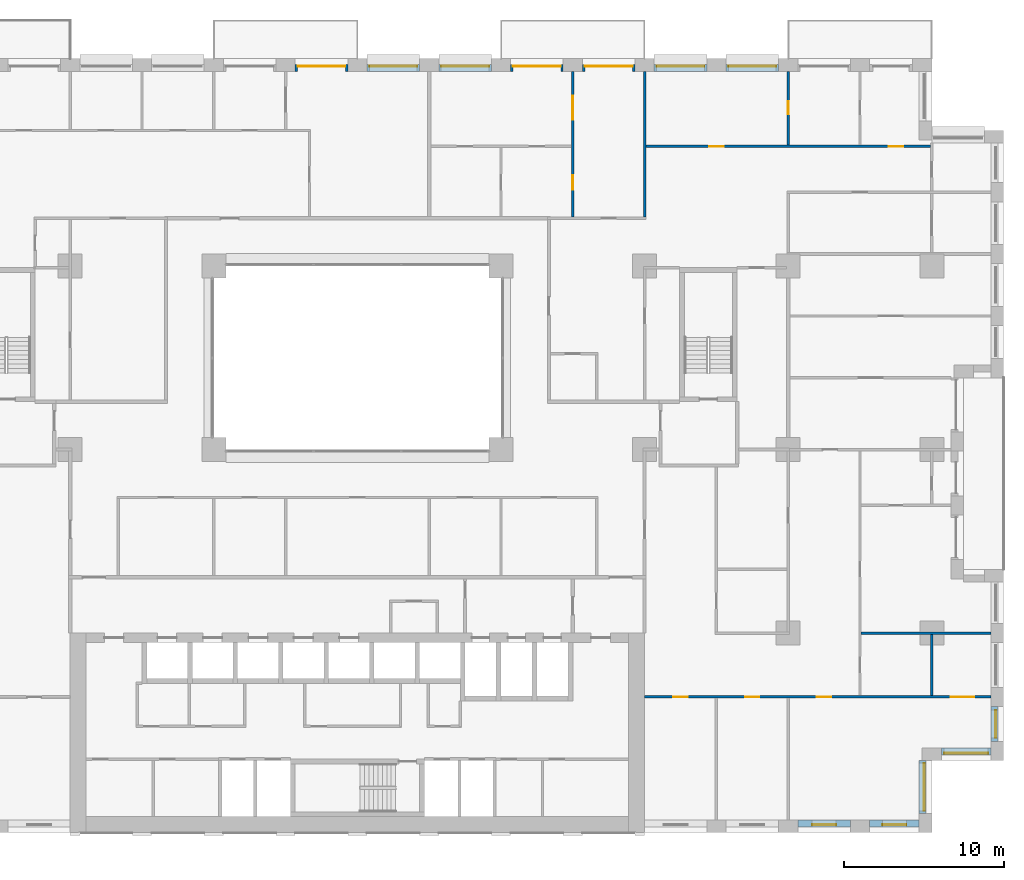
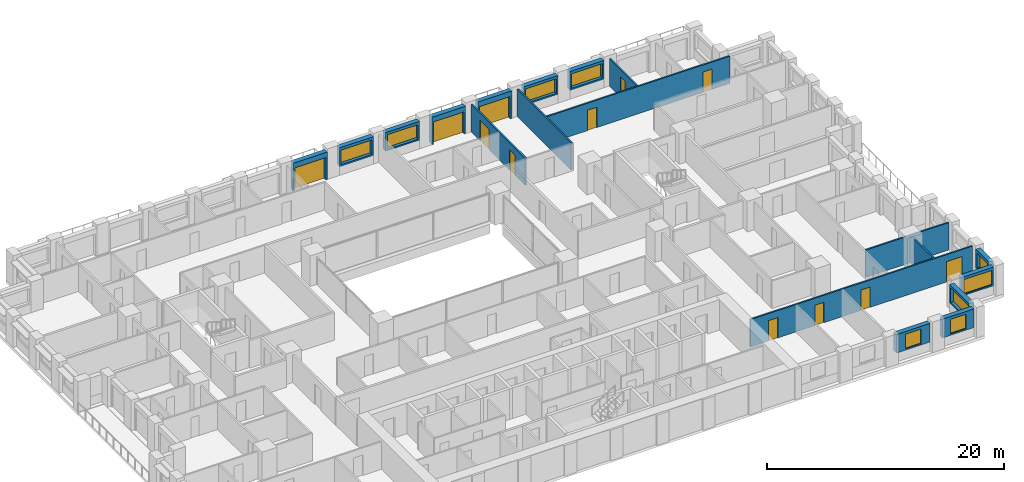
# One storey, part 16 of 20: 19 walls, 12 doors, 9 windows, 21 openings.
"""IFC4 building model written with IfcOpenShell, lengths in metres."""

from ifc_helpers import new_model, si_unit, direction, frame, frame_2d, origin, place, context, subcontext, project, spatial, rectangle, extrude, material, layer, layer_set, type_object, element, fill, save


model = new_model("IFC4")

# Units and contexts
model_context = context("Model", 3, precision=1e-05, world=origin(), true_north=direction((0.0, 1.0)))
body_context = subcontext(model_context, "Body", "Model", "MODEL_VIEW")
ifc_project = project(units=[si_unit("LENGTHUNIT", "METRE"), si_unit("AREAUNIT", "SQUARE_METRE"), si_unit("VOLUMEUNIT", "CUBIC_METRE"), si_unit("PLANEANGLEUNIT", "RADIAN"), si_unit("MASSUNIT", "GRAM", prefix="KILO")], contexts=[model_context])

# Site, building, storey
site_placement = place(None, origin())
site = spatial("IfcSite", under=ifc_project, at=site_placement, CompositionType="ELEMENT")
building_placement = place(site_placement, origin())
building = spatial("IfcBuilding", under=site, at=building_placement, Name="Brigalow Station Residences", CompositionType="ELEMENT")
storey_placement = place(building_placement, frame((0.0, 0.0, 44.699951171875)))
storey = spatial("IfcBuildingStorey", under=building, at=storey_placement, Name="L12", CompositionType="ELEMENT", Elevation=44.699951171875)

# Wall, opening, window
ifc_material_1 = material(Name="Clay brick masonry", Category="masonry")
ifc_layer_1 = layer(ifc_material_1, 0.449951171875)
ifc_layer_set_1 = layer_set([ifc_layer_1], Name="BRICK INFILL WALL 450")
wall_type_1 = type_object("IfcWallType", Name="BRICK INFILL WALL 450", PredefinedType="SOLIDWALL", material=ifc_layer_set_1)
wall_1_placement = place(storey_placement, frame((63.60009765625, 0.574951171875, 0.900146484375), z_axis=(0.0, 0.0, 1.0), x_axis=(1.0, 0.0, 0.0)))
wall_1 = element("IfcWall", 1, at=wall_1_placement, inside=storey, type_object=wall_type_1, Name="L12/ewall/W-L12-7", PredefinedType="SOLIDWALL", context=body_context, shape_type="SweptSolid", body=[
    extrude(rectangle(XDim=3.2998046875, YDim=0.449951171875, at=frame_2d((1.64990234375, 0.0))), origin(), (0.0, 0.0, 1.0), 1.929931640625),
])
opening_1_placement = place(wall_1_placement, frame((0.89990234375, 0.0, 0.14990234375)))
opening_1 = element("IfcOpeningElement", 2, at=opening_1_placement, cuts=wall_1, Name="Opening WT-1", PredefinedType="OPENING", context=body_context, shape_type="SweptSolid", body=[
    extrude(rectangle(XDim=1.5, YDim=1.5, at=frame_2d((0.75, 0.75))), frame((0.0, 0.23486328125, 0.0), z_axis=(0.0, -1.0, 0.0), x_axis=(1.0, 0.0, 0.0)), (0.0, 0.0, 1.0), 0.469970703125),
])
ifc_material_2 = material(Name="Anodised aluminium frame with double glazing", Category="aluminium")
window_type_1 = type_object("IfcWindowType", Name="WINDOW 1500x1500", PartitioningType="SINGLE_PANEL", PredefinedType="WINDOW", material=ifc_material_2)
window_1_placement = place(opening_1_placement, origin())
window_1 = element("IfcWindow", 3, at=window_1_placement, inside=storey, type_object=window_type_1, Name="L12/window/W-L12-7", OverallHeight=1.5, OverallWidth=1.5, PartitioningType="SINGLE_PANEL", PredefinedType="WINDOW", context=body_context, shape_type="SweptSolid", body=[
    extrude(rectangle(XDim=1.5, YDim=1.5, at=frame_2d((0.75, 0.75))), frame((0.0, -0.06494140625, 0.0), z_axis=(0.0, -1.0, 0.0), x_axis=(1.0, 0.0, 0.0)), (0.0, 0.0, 1.0), 0.06005859375),
])
fill(opening_1, window_1)

wall_2_placement = place(storey_placement, frame((68.10009765625, 0.574951171875, 0.900146484375), z_axis=(0.0, 0.0, 1.0), x_axis=(1.0, 0.0, 0.0)))
wall_2 = element("IfcWall", 4, at=wall_2_placement, inside=storey, type_object=wall_type_1, Name="L12/ewall/W-L12-8", PredefinedType="SOLIDWALL", context=body_context, shape_type="SweptSolid", body=[
    extrude(rectangle(XDim=3.099853515625, YDim=0.449951171875, at=frame_2d((1.5498046875, 0.0))), origin(), (0.0, 0.0, 1.0), 1.929931640625),
])
opening_2_placement = place(wall_2_placement, frame((0.800048828125, 0.0, 0.14990234375)))
opening_2 = element("IfcOpeningElement", 5, at=opening_2_placement, cuts=wall_2, Name="Opening WT-1", PredefinedType="OPENING", context=body_context, shape_type="SweptSolid", body=[
    extrude(rectangle(XDim=1.5, YDim=1.5, at=frame_2d((0.75, 0.75))), frame((0.0, 0.23486328125, 0.0), z_axis=(0.0, -1.0, 0.0), x_axis=(1.0, 0.0, 0.0)), (0.0, 0.0, 1.0), 0.469970703125),
])
window_2_placement = place(opening_2_placement, origin())
window_2 = element("IfcWindow", 6, at=window_2_placement, inside=storey, type_object=window_type_1, Name="L12/window/W-L12-8", OverallHeight=1.5, OverallWidth=1.5, PartitioningType="SINGLE_PANEL", PredefinedType="WINDOW", context=body_context, shape_type="SweptSolid", body=[
    extrude(rectangle(XDim=1.5, YDim=1.5, at=frame_2d((0.75, 0.75))), frame((0.0, -0.06494140625, 0.0), z_axis=(0.0, -1.0, 0.0), x_axis=(1.0, 0.0, 0.0)), (0.0, 0.0, 1.0), 0.06005859375),
])
fill(opening_2, window_2)

wall_3_placement = place(storey_placement, frame((71.425048828125, 1.199951171875, 0.900146484375), z_axis=(0.0, 0.0, 1.0), x_axis=(0.0, 1.0, 0.0)))
wall_3 = element("IfcWall", 7, at=wall_3_placement, inside=storey, type_object=wall_type_1, Name="L12/ewall/W-L12-9", PredefinedType="SOLIDWALL", context=body_context, shape_type="SweptSolid", body=[
    extrude(rectangle(XDim=3.300048828125, YDim=0.449951171875, at=frame_2d((1.64990234375, 0.0))), origin(), (0.0, 0.0, 1.0), 1.929931640625),
])
opening_3_placement = place(wall_3_placement, frame((0.14990234375, 0.0, 0.14990234375)))
opening_3 = element("IfcOpeningElement", 8, at=opening_3_placement, cuts=wall_3, Name="Opening WT-2", PredefinedType="OPENING", context=body_context, shape_type="SweptSolid", body=[
    extrude(rectangle(XDim=3.0, YDim=1.5, at=frame_2d((1.5, 0.75))), frame((0.0, 0.23486328125, 0.0), z_axis=(0.0, -1.0, 0.0), x_axis=(1.0, 0.0, 0.0)), (0.0, 0.0, 1.0), 0.469970703125),
])
ifc_material_3 = material(Name="Anodised aluminium frame with double glazing", Category="aluminium")
window_type_2 = type_object("IfcWindowType", Name="WINDOW 3000x1500", PartitioningType="SINGLE_PANEL", PredefinedType="WINDOW", material=ifc_material_3)
window_3_placement = place(opening_3_placement, origin())
window_3 = element("IfcWindow", 9, at=window_3_placement, inside=storey, type_object=window_type_2, Name="L12/window/W-L12-9", OverallHeight=1.5, OverallWidth=3.0, PartitioningType="SINGLE_PANEL", PredefinedType="WINDOW", context=body_context, shape_type="SweptSolid", body=[
    extrude(rectangle(XDim=3.0, YDim=1.5, at=frame_2d((1.5, 0.75))), frame((0.0, -0.06494140625, 0.0), z_axis=(0.0, -1.0, 0.0), x_axis=(1.0, 0.0, 0.0)), (0.0, 0.0, 1.0), 0.06005859375),
])
fill(opening_3, window_3)

wall_4_placement = place(storey_placement, frame((72.60009765625, 5.074951171875, 0.900146484375), z_axis=(0.0, 0.0, 1.0), x_axis=(1.0, 0.0, 0.0)))
wall_4 = element("IfcWall", 10, at=wall_4_placement, inside=storey, type_object=wall_type_1, Name="L12/ewall/W-L12-10", PredefinedType="SOLIDWALL", context=body_context, shape_type="SweptSolid", body=[
    extrude(rectangle(XDim=3.099853515625, YDim=0.449951171875, at=frame_2d((1.5498046875, 0.0))), origin(), (0.0, 0.0, 1.0), 1.929931640625),
])
opening_4_placement = place(wall_4_placement, frame((0.175048828125, 0.0, 0.14990234375)))
opening_4 = element("IfcOpeningElement", 11, at=opening_4_placement, cuts=wall_4, Name="Opening WT-3", PredefinedType="OPENING", context=body_context, shape_type="SweptSolid", body=[
    extrude(rectangle(XDim=2.75, YDim=1.5, at=frame_2d((1.375, 0.75))), frame((0.0, 0.23486328125, 0.0), z_axis=(0.0, -1.0, 0.0), x_axis=(1.0, 0.0, 0.0)), (0.0, 0.0, 1.0), 0.469970703125),
])
ifc_material_4 = material(Name="Anodised aluminium frame with double glazing", Category="aluminium")
window_type_3 = type_object("IfcWindowType", Name="WINDOW 2750x1500", PartitioningType="SINGLE_PANEL", PredefinedType="WINDOW", material=ifc_material_4)
window_4_placement = place(opening_4_placement, origin())
window_4 = element("IfcWindow", 12, at=window_4_placement, inside=storey, type_object=window_type_3, Name="L12/window/W-L12-10", OverallHeight=1.5, OverallWidth=2.75, PartitioningType="SINGLE_PANEL", PredefinedType="WINDOW", context=body_context, shape_type="SweptSolid", body=[
    extrude(rectangle(XDim=2.75, YDim=1.5, at=frame_2d((1.375, 0.75))), frame((0.0, -0.06494140625, 0.0), z_axis=(0.0, -1.0, 0.0), x_axis=(1.0, 0.0, 0.0)), (0.0, 0.0, 1.0), 0.06005859375),
])
fill(opening_4, window_4)

wall_5_placement = place(storey_placement, frame((75.925048828125, 5.699951171875, 0.900146484375), z_axis=(0.0, 0.0, 1.0), x_axis=(0.0, 1.0, 0.0)))
wall_5 = element("IfcWall", 13, at=wall_5_placement, inside=storey, type_object=wall_type_1, Name="L12/ewall/W-L12-11", PredefinedType="SOLIDWALL", context=body_context, shape_type="SweptSolid", body=[
    extrude(rectangle(XDim=2.199951171875, YDim=0.449951171875, at=frame_2d((1.10009765625, 0.0))), origin(), (0.0, 0.0, 1.0), 1.929931640625),
])
opening_5_placement = place(wall_5_placement, frame((0.22509765625, 0.0, 0.14990234375)))
opening_5 = element("IfcOpeningElement", 14, at=opening_5_placement, cuts=wall_5, Name="Opening WT-4", PredefinedType="OPENING", context=body_context, shape_type="SweptSolid", body=[
    extrude(rectangle(XDim=1.75, YDim=1.5, at=frame_2d((0.875, 0.75))), frame((0.0, 0.23486328125, 0.0), z_axis=(0.0, -1.0, 0.0), x_axis=(1.0, 0.0, 0.0)), (0.0, 0.0, 1.0), 0.469970703125),
])
ifc_material_5 = material(Name="Anodised aluminium frame with double glazing", Category="aluminium")
window_type_4 = type_object("IfcWindowType", Name="WINDOW 1750x1500", PartitioningType="SINGLE_PANEL", PredefinedType="WINDOW", material=ifc_material_5)
window_5_placement = place(opening_5_placement, origin())
window_5 = element("IfcWindow", 15, at=window_5_placement, inside=storey, type_object=window_type_4, Name="L12/window/W-L12-11", OverallHeight=1.5, OverallWidth=1.75, PartitioningType="SINGLE_PANEL", PredefinedType="WINDOW", context=body_context, shape_type="SweptSolid", body=[
    extrude(rectangle(XDim=1.75, YDim=1.5, at=frame_2d((0.875, 0.75))), frame((0.0, -0.06494140625, 0.0), z_axis=(0.0, -1.0, 0.0), x_axis=(1.0, 0.0, 0.0)), (0.0, 0.0, 1.0), 0.06005859375),
])
fill(opening_5, window_5)

wall_6_placement = place(storey_placement, frame((62.39990234375, 47.925048828125, 0.900146484375), z_axis=(0.0, 0.0, 1.0), x_axis=(-1.0, 0.0, 0.0)))
wall_6 = element("IfcWall", 16, at=wall_6_placement, inside=storey, type_object=wall_type_1, Name="L12/ewall/W-L12-27", PredefinedType="SOLIDWALL", context=body_context, shape_type="SweptSolid", body=[
    extrude(rectangle(XDim=3.2998046875, YDim=0.449951171875, at=frame_2d((1.64990234375, 0.0))), origin(), (0.0, 0.0, 1.0), 1.929931640625),
])
opening_6_placement = place(wall_6_placement, frame((0.14990234375, 0.0, 0.14990234375)))
opening_6 = element("IfcOpeningElement", 17, at=opening_6_placement, cuts=wall_6, Name="Opening WT-2", PredefinedType="OPENING", context=body_context, shape_type="SweptSolid", body=[
    extrude(rectangle(XDim=3.0, YDim=1.5, at=frame_2d((1.5, 0.75))), frame((0.0, 0.23486328125, 0.0), z_axis=(0.0, -1.0, 0.0), x_axis=(1.0, 0.0, 0.0)), (0.0, 0.0, 1.0), 0.469970703125),
])
window_6_placement = place(opening_6_placement, origin())
window_6 = element("IfcWindow", 18, at=window_6_placement, inside=storey, type_object=window_type_2, Name="L12/window/W-L12-27", OverallHeight=1.5, OverallWidth=3.0, PartitioningType="SINGLE_PANEL", PredefinedType="WINDOW", context=body_context, shape_type="SweptSolid", body=[
    extrude(rectangle(XDim=3.0, YDim=1.5, at=frame_2d((1.5, 0.75))), frame((0.0, -0.06494140625, 0.0), z_axis=(0.0, -1.0, 0.0), x_axis=(1.0, 0.0, 0.0)), (0.0, 0.0, 1.0), 0.06005859375),
])
fill(opening_6, window_6)

wall_7_placement = place(storey_placement, frame((57.89990234375, 47.925048828125, 0.900146484375), z_axis=(0.0, 0.0, 1.0), x_axis=(-1.0, 0.0, 0.0)))
wall_7 = element("IfcWall", 19, at=wall_7_placement, inside=storey, type_object=wall_type_1, Name="L12/ewall/W-L12-28", PredefinedType="SOLIDWALL", context=body_context, shape_type="SweptSolid", body=[
    extrude(rectangle(XDim=3.2998046875, YDim=0.449951171875, at=frame_2d((1.64990234375, 0.0))), origin(), (0.0, 0.0, 1.0), 1.929931640625),
])
opening_7_placement = place(wall_7_placement, frame((0.14990234375, 0.0, 0.14990234375)))
opening_7 = element("IfcOpeningElement", 20, at=opening_7_placement, cuts=wall_7, Name="Opening WT-2", PredefinedType="OPENING", context=body_context, shape_type="SweptSolid", body=[
    extrude(rectangle(XDim=3.0, YDim=1.5, at=frame_2d((1.5, 0.75))), frame((0.0, 0.23486328125, 0.0), z_axis=(0.0, -1.0, 0.0), x_axis=(1.0, 0.0, 0.0)), (0.0, 0.0, 1.0), 0.469970703125),
])
window_7_placement = place(opening_7_placement, origin())
window_7 = element("IfcWindow", 21, at=window_7_placement, inside=storey, type_object=window_type_2, Name="L12/window/W-L12-28", OverallHeight=1.5, OverallWidth=3.0, PartitioningType="SINGLE_PANEL", PredefinedType="WINDOW", context=body_context, shape_type="SweptSolid", body=[
    extrude(rectangle(XDim=3.0, YDim=1.5, at=frame_2d((1.5, 0.75))), frame((0.0, -0.06494140625, 0.0), z_axis=(0.0, -1.0, 0.0), x_axis=(1.0, 0.0, 0.0)), (0.0, 0.0, 1.0), 0.06005859375),
])
fill(opening_7, window_7)

# Wall, opening, door
wall_8_placement = place(storey_placement, frame((53.39990234375, 47.925048828125, 0.0), z_axis=(0.0, 0.0, 1.0), x_axis=(-1.0, 0.0, 0.0)))
wall_8 = element("IfcWall", 22, at=wall_8_placement, inside=storey, type_object=wall_type_1, Name="L12/ewall/W-L12-29", PredefinedType="SOLIDWALL", context=body_context, shape_type="SweptSolid", body=[
    extrude(rectangle(XDim=3.2998046875, YDim=0.449951171875, at=frame_2d((1.64990234375, 0.0))), origin(), (0.0, 0.0, 1.0), 2.830078125),
])
opening_8_placement = place(wall_8_placement, frame((0.14990234375, 0.0, 0.0)))
opening_8 = element("IfcOpeningElement", 23, at=opening_8_placement, cuts=wall_8, Name="Opening D-B3000", PredefinedType="OPENING", context=body_context, shape_type="SweptSolid", body=[
    extrude(rectangle(XDim=3.0, YDim=2.300048828125, at=frame_2d((1.5, 1.14990234375))), frame((0.0, 0.23486328125, 0.0), z_axis=(0.0, -1.0, 0.0), x_axis=(1.0, 0.0, 0.0)), (0.0, 0.0, 1.0), 0.469970703125),
])
ifc_material_6 = material(Name="Anodised aluminium frame with double glazing", Category="aluminium")
door_type_1 = type_object("IfcDoorType", Name="BALCONY SLIDING DOOR 3000x2300", OperationType="SLIDING_TO_LEFT", PredefinedType="DOOR", material=ifc_material_6)
door_1_placement = place(opening_8_placement, origin())
door_1 = element("IfcDoor", 24, at=door_1_placement, inside=storey, type_object=door_type_1, Name="L12/balcony-door/W-L12-29", OperationType="SLIDING_TO_LEFT", OverallHeight=2.300048828125, OverallWidth=3.0, PredefinedType="DOOR", context=body_context, shape_type="SweptSolid", body=[
    extrude(rectangle(XDim=3.0, YDim=2.300048828125, at=frame_2d((1.5, 1.14990234375))), frame((0.0, -0.06982421875, 0.0), z_axis=(0.0, -1.0, 0.0), x_axis=(1.0, 0.0, 0.0)), (0.0, 0.0, 1.0), 0.050048828125),
])
fill(opening_8, door_1)

wall_9_placement = place(storey_placement, frame((48.89990234375, 47.925048828125, 0.0), z_axis=(0.0, 0.0, 1.0), x_axis=(-1.0, 0.0, 0.0)))
wall_9 = element("IfcWall", 25, at=wall_9_placement, inside=storey, type_object=wall_type_1, Name="L12/ewall/W-L12-30", PredefinedType="SOLIDWALL", context=body_context, shape_type="SweptSolid", body=[
    extrude(rectangle(XDim=3.2998046875, YDim=0.449951171875, at=frame_2d((1.64990234375, 0.0))), origin(), (0.0, 0.0, 1.0), 2.830078125),
])
opening_9_placement = place(wall_9_placement, frame((0.14990234375, 0.0, 0.0)))
opening_9 = element("IfcOpeningElement", 26, at=opening_9_placement, cuts=wall_9, Name="Opening D-B3000", PredefinedType="OPENING", context=body_context, shape_type="SweptSolid", body=[
    extrude(rectangle(XDim=3.0, YDim=2.300048828125, at=frame_2d((1.5, 1.14990234375))), frame((0.0, 0.23486328125, 0.0), z_axis=(0.0, -1.0, 0.0), x_axis=(1.0, 0.0, 0.0)), (0.0, 0.0, 1.0), 0.469970703125),
])
door_2_placement = place(opening_9_placement, origin())
door_2 = element("IfcDoor", 27, at=door_2_placement, inside=storey, type_object=door_type_1, Name="L12/balcony-door/W-L12-30", OperationType="SLIDING_TO_LEFT", OverallHeight=2.300048828125, OverallWidth=3.0, PredefinedType="DOOR", context=body_context, shape_type="SweptSolid", body=[
    extrude(rectangle(XDim=3.0, YDim=2.300048828125, at=frame_2d((1.5, 1.14990234375))), frame((0.0, -0.06982421875, 0.0), z_axis=(0.0, -1.0, 0.0), x_axis=(1.0, 0.0, 0.0)), (0.0, 0.0, 1.0), 0.050048828125),
])
fill(opening_9, door_2)

# Wall, opening, window
wall_10_placement = place(storey_placement, frame((44.39990234375, 47.925048828125, 0.900146484375), z_axis=(0.0, 0.0, 1.0), x_axis=(-1.0, 0.0, 0.0)))
wall_10 = element("IfcWall", 28, at=wall_10_placement, inside=storey, type_object=wall_type_1, Name="L12/ewall/W-L12-31", PredefinedType="SOLIDWALL", context=body_context, shape_type="SweptSolid", body=[
    extrude(rectangle(XDim=3.2998046875, YDim=0.449951171875, at=frame_2d((1.64990234375, 0.0))), origin(), (0.0, 0.0, 1.0), 1.929931640625),
])
opening_10_placement = place(wall_10_placement, frame((0.14990234375, 0.0, 0.14990234375)))
opening_10 = element("IfcOpeningElement", 29, at=opening_10_placement, cuts=wall_10, Name="Opening WT-2", PredefinedType="OPENING", context=body_context, shape_type="SweptSolid", body=[
    extrude(rectangle(XDim=3.0, YDim=1.5, at=frame_2d((1.5, 0.75))), frame((0.0, 0.23486328125, 0.0), z_axis=(0.0, -1.0, 0.0), x_axis=(1.0, 0.0, 0.0)), (0.0, 0.0, 1.0), 0.469970703125),
])
window_8_placement = place(opening_10_placement, origin())
window_8 = element("IfcWindow", 30, at=window_8_placement, inside=storey, type_object=window_type_2, Name="L12/window/W-L12-31", OverallHeight=1.5, OverallWidth=3.0, PartitioningType="SINGLE_PANEL", PredefinedType="WINDOW", context=body_context, shape_type="SweptSolid", body=[
    extrude(rectangle(XDim=3.0, YDim=1.5, at=frame_2d((1.5, 0.75))), frame((0.0, -0.06494140625, 0.0), z_axis=(0.0, -1.0, 0.0), x_axis=(1.0, 0.0, 0.0)), (0.0, 0.0, 1.0), 0.06005859375),
])
fill(opening_10, window_8)

wall_11_placement = place(storey_placement, frame((39.89990234375, 47.925048828125, 0.900146484375), z_axis=(0.0, 0.0, 1.0), x_axis=(-1.0, 0.0, 0.0)))
wall_11 = element("IfcWall", 31, at=wall_11_placement, inside=storey, type_object=wall_type_1, Name="L12/ewall/W-L12-32", PredefinedType="SOLIDWALL", context=body_context, shape_type="SweptSolid", body=[
    extrude(rectangle(XDim=3.2998046875, YDim=0.449951171875, at=frame_2d((1.64990234375, 0.0))), origin(), (0.0, 0.0, 1.0), 1.929931640625),
])
opening_11_placement = place(wall_11_placement, frame((0.14990234375, 0.0, 0.14990234375)))
opening_11 = element("IfcOpeningElement", 32, at=opening_11_placement, cuts=wall_11, Name="Opening WT-2", PredefinedType="OPENING", context=body_context, shape_type="SweptSolid", body=[
    extrude(rectangle(XDim=3.0, YDim=1.5, at=frame_2d((1.5, 0.75))), frame((0.0, 0.23486328125, 0.0), z_axis=(0.0, -1.0, 0.0), x_axis=(1.0, 0.0, 0.0)), (0.0, 0.0, 1.0), 0.469970703125),
])
window_9_placement = place(opening_11_placement, origin())
window_9 = element("IfcWindow", 33, at=window_9_placement, inside=storey, type_object=window_type_2, Name="L12/window/W-L12-32", OverallHeight=1.5, OverallWidth=3.0, PartitioningType="SINGLE_PANEL", PredefinedType="WINDOW", context=body_context, shape_type="SweptSolid", body=[
    extrude(rectangle(XDim=3.0, YDim=1.5, at=frame_2d((1.5, 0.75))), frame((0.0, -0.06494140625, 0.0), z_axis=(0.0, -1.0, 0.0), x_axis=(1.0, 0.0, 0.0)), (0.0, 0.0, 1.0), 0.06005859375),
])
fill(opening_11, window_9)

# Wall, opening, door
wall_12_placement = place(storey_placement, frame((35.39990234375, 47.925048828125, 0.0), z_axis=(0.0, 0.0, 1.0), x_axis=(-1.0, 0.0, 0.0)))
wall_12 = element("IfcWall", 34, at=wall_12_placement, inside=storey, type_object=wall_type_1, Name="L12/ewall/W-L12-33", PredefinedType="SOLIDWALL", context=body_context, shape_type="SweptSolid", body=[
    extrude(rectangle(XDim=3.2998046875, YDim=0.449951171875, at=frame_2d((1.64990234375, 0.0))), origin(), (0.0, 0.0, 1.0), 2.830078125),
])
opening_12_placement = place(wall_12_placement, frame((0.14990234375, 0.0, 0.0)))
opening_12 = element("IfcOpeningElement", 35, at=opening_12_placement, cuts=wall_12, Name="Opening D-B3000", PredefinedType="OPENING", context=body_context, shape_type="SweptSolid", body=[
    extrude(rectangle(XDim=3.0, YDim=2.300048828125, at=frame_2d((1.5, 1.14990234375))), frame((0.0, 0.23486328125, 0.0), z_axis=(0.0, -1.0, 0.0), x_axis=(1.0, 0.0, 0.0)), (0.0, 0.0, 1.0), 0.469970703125),
])
door_3_placement = place(opening_12_placement, origin())
door_3 = element("IfcDoor", 36, at=door_3_placement, inside=storey, type_object=door_type_1, Name="L12/balcony-door/W-L12-33", OperationType="SLIDING_TO_LEFT", OverallHeight=2.300048828125, OverallWidth=3.0, PredefinedType="DOOR", context=body_context, shape_type="SweptSolid", body=[
    extrude(rectangle(XDim=3.0, YDim=2.300048828125, at=frame_2d((1.5, 1.14990234375))), frame((0.0, -0.06982421875, 0.0), z_axis=(0.0, -1.0, 0.0), x_axis=(1.0, 0.0, 0.0)), (0.0, 0.0, 1.0), 0.050048828125),
])
fill(opening_12, door_3)

# Wall, openings, doors
ifc_material_7 = material(Name="Plasterboard on steel stud partition", Category="steel")
ifc_layer_2 = layer(ifc_material_7, 0.14990234375)
ifc_layer_set_2 = layer_set([ifc_layer_2], Name="FLAT PARTITION 150")
wall_type_2 = type_object("IfcWallType", Name="FLAT PARTITION 150", PredefinedType="PARTITIONING", material=ifc_layer_set_2)
wall_13_placement = place(storey_placement, frame((54.0, 8.5, 0.0), z_axis=(0.0, 0.0, 1.0), x_axis=(1.0, 0.0, 0.0)))
wall_13 = element("IfcWall", 37, at=wall_13_placement, inside=storey, type_object=wall_type_2, Name="PW-1C13", PredefinedType="PARTITIONING", context=body_context, shape_type="SweptSolid", body=[
    extrude(rectangle(XDim=21.699951171875, YDim=0.14990234375, at=frame_2d((10.85009765625, 0.0))), origin(), (0.0, 0.0, 1.0), 2.830078125),
])
opening_13_placement = place(wall_13_placement, frame((6.300048828125, 0.0, 0.0)))
opening_13 = element("IfcOpeningElement", 38, at=opening_13_placement, cuts=wall_13, Name="Opening D-1C51", PredefinedType="OPENING", context=body_context, shape_type="SweptSolid", body=[
    extrude(rectangle(XDim=0.89990234375, YDim=2.10009765625, at=frame_2d((0.449951171875, 1.050048828125))), frame((0.0, 0.0849609375, 0.0), z_axis=(0.0, -1.0, 0.0), x_axis=(1.0, 0.0, 0.0)), (0.0, 0.0, 1.0), 0.169921875),
])
opening_14_placement = place(wall_13_placement, frame((1.800048828125, 0.0, 0.0)))
opening_14 = element("IfcOpeningElement", 39, at=opening_14_placement, cuts=wall_13, Name="Opening D-1C57", PredefinedType="OPENING", context=body_context, shape_type="SweptSolid", body=[
    extrude(rectangle(XDim=0.89990234375, YDim=2.10009765625, at=frame_2d((0.449951171875, 1.050048828125))), frame((0.0, 0.0849609375, 0.0), z_axis=(0.0, -1.0, 0.0), x_axis=(1.0, 0.0, 0.0)), (0.0, 0.0, 1.0), 0.169921875),
])
opening_15_placement = place(wall_13_placement, frame((10.800048828125, 0.0, 0.0)))
opening_15 = element("IfcOpeningElement", 40, at=opening_15_placement, cuts=wall_13, Name="Opening D-1C58", PredefinedType="OPENING", context=body_context, shape_type="SweptSolid", body=[
    extrude(rectangle(XDim=0.89990234375, YDim=2.10009765625, at=frame_2d((0.449951171875, 1.050048828125))), frame((0.0, 0.0849609375, 0.0), z_axis=(0.0, -1.0, 0.0), x_axis=(1.0, 0.0, 0.0)), (0.0, 0.0, 1.0), 0.169921875),
])
opening_16_placement = place(wall_13_placement, frame((19.175048828125, 0.0, 0.0)))
opening_16 = element("IfcOpeningElement", 41, at=opening_16_placement, cuts=wall_13, Name="Opening D-1C62", PredefinedType="OPENING", context=body_context, shape_type="SweptSolid", body=[
    extrude(rectangle(XDim=1.5, YDim=2.10009765625, at=frame_2d((0.75, 1.050048828125))), frame((0.0, 0.0849609375, 0.0), z_axis=(0.0, -1.0, 0.0), x_axis=(1.0, 0.0, 0.0)), (0.0, 0.0, 1.0), 0.169921875),
])
ifc_material_8 = material(Name="Solid-core timber door leaf", Category="wood")
door_type_2 = type_object("IfcDoorType", Name="INTERNAL DOOR 900 x 2100", OperationType="SINGLE_SWING_LEFT", PredefinedType="DOOR", material=ifc_material_8)
door_4_placement = place(opening_13_placement, frame((0.89990234375, 0.0, 0.0), z_axis=(0.0, 0.0, 1.0), x_axis=(-1.0, 0.0, 0.0)))
door_4 = element("IfcDoor", 42, at=door_4_placement, inside=storey, type_object=door_type_2, Name="D-1C51", OperationType="SINGLE_SWING_LEFT", OverallHeight=2.10009765625, OverallWidth=0.89990234375, PredefinedType="DOOR", context=body_context, shape_type="SweptSolid", body=[
    extrude(rectangle(XDim=0.89990234375, YDim=2.10009765625, at=frame_2d((0.449951171875, 1.050048828125))), frame((0.0, 0.02490234375, 0.0), z_axis=(0.0, -1.0, 0.0), x_axis=(1.0, 0.0, 0.0)), (0.0, 0.0, 1.0), 0.050048828125),
])
fill(opening_13, door_4)
door_5_placement = place(opening_14_placement, frame((0.89990234375, 0.0, 0.0), z_axis=(0.0, 0.0, 1.0), x_axis=(-1.0, 0.0, 0.0)))
door_5 = element("IfcDoor", 43, at=door_5_placement, inside=storey, type_object=door_type_2, Name="D-1C57", OperationType="SINGLE_SWING_LEFT", OverallHeight=2.10009765625, OverallWidth=0.89990234375, PredefinedType="DOOR", context=body_context, shape_type="SweptSolid", body=[
    extrude(rectangle(XDim=0.89990234375, YDim=2.10009765625, at=frame_2d((0.449951171875, 1.050048828125))), frame((0.0, 0.02490234375, 0.0), z_axis=(0.0, -1.0, 0.0), x_axis=(1.0, 0.0, 0.0)), (0.0, 0.0, 1.0), 0.050048828125),
])
fill(opening_14, door_5)
door_6_placement = place(opening_15_placement, frame((0.89990234375, 0.0, 0.0), z_axis=(0.0, 0.0, 1.0), x_axis=(-1.0, 0.0, 0.0)))
door_6 = element("IfcDoor", 44, at=door_6_placement, inside=storey, type_object=door_type_2, Name="D-1C58", OperationType="SINGLE_SWING_RIGHT", OverallHeight=2.10009765625, OverallWidth=0.89990234375, PredefinedType="DOOR", context=body_context, shape_type="SweptSolid", body=[
    extrude(rectangle(XDim=0.89990234375, YDim=2.10009765625, at=frame_2d((0.449951171875, 1.050048828125))), frame((0.0, 0.02490234375, 0.0), z_axis=(0.0, -1.0, 0.0), x_axis=(1.0, 0.0, 0.0)), (0.0, 0.0, 1.0), 0.050048828125),
])
fill(opening_15, door_6)
ifc_material_9 = material(Name="Solid-core timber door leaf", Category="wood")
door_type_3 = type_object("IfcDoorType", Name="INTERNAL DOUBLE DOOR 1500 x 2100", OperationType="DOUBLE_DOOR_SINGLE_SWING", PredefinedType="DOOR", material=ifc_material_9)
door_7_placement = place(opening_16_placement, origin())
door_7 = element("IfcDoor", 45, at=door_7_placement, inside=storey, type_object=door_type_3, Name="D-1C62", OperationType="DOUBLE_DOOR_SINGLE_SWING", OverallHeight=2.10009765625, OverallWidth=1.5, PredefinedType="DOOR", context=body_context, shape_type="SweptSolid", body=[
    extrude(rectangle(XDim=1.5, YDim=2.10009765625, at=frame_2d((0.75, 1.050048828125))), frame((0.0, 0.02490234375, 0.0), z_axis=(0.0, -1.0, 0.0), x_axis=(1.0, 0.0, 0.0)), (0.0, 0.0, 1.0), 0.050048828125),
])
fill(opening_16, door_7)

# Wall
wall_14_placement = place(storey_placement, frame((67.574951171875, 12.5, 0.0), z_axis=(0.0, 0.0, 1.0), x_axis=(1.0, 0.0, 0.0)))
element("IfcWall", 46, at=wall_14_placement, inside=storey, type_object=wall_type_2, Name="PW-1C16", PredefinedType="PARTITIONING", context=body_context, shape_type="SweptSolid", body=[
    extrude(rectangle(XDim=8.125, YDim=0.14990234375, at=frame_2d((4.0625, 0.0))), origin(), (0.0, 0.0, 1.0), 2.830078125),
])

# Wall, openings, doors
wall_15_placement = place(storey_placement, frame((54.074951171875, 43.0, 0.0), z_axis=(0.0, 0.0, 1.0), x_axis=(1.0, 0.0, 0.0)))
wall_15 = element("IfcWall", 47, at=wall_15_placement, inside=storey, type_object=wall_type_2, Name="PW-1C36", PredefinedType="PARTITIONING", context=body_context, shape_type="SweptSolid", body=[
    extrude(rectangle(XDim=17.85009765625, YDim=0.14990234375, at=frame_2d((8.925048828125, 0.0))), origin(), (0.0, 0.0, 1.0), 2.830078125),
])
opening_17_placement = place(wall_15_placement, frame((15.22509765625, 0.0, 0.0)))
opening_17 = element("IfcOpeningElement", 48, at=opening_17_placement, cuts=wall_15, Name="Opening D-1C34", PredefinedType="OPENING", context=body_context, shape_type="SweptSolid", body=[
    extrude(rectangle(XDim=0.89990234375, YDim=2.10009765625, at=frame_2d((0.449951171875, 1.050048828125))), frame((0.0, 0.0849609375, 0.0), z_axis=(0.0, -1.0, 0.0), x_axis=(1.0, 0.0, 0.0)), (0.0, 0.0, 1.0), 0.169921875),
])
opening_18_placement = place(wall_15_placement, frame((3.97509765625, 0.0, 0.0)))
opening_18 = element("IfcOpeningElement", 49, at=opening_18_placement, cuts=wall_15, Name="Opening D-1C40", PredefinedType="OPENING", context=body_context, shape_type="SweptSolid", body=[
    extrude(rectangle(XDim=0.89990234375, YDim=2.10009765625, at=frame_2d((0.449951171875, 1.050048828125))), frame((0.0, 0.0849609375, 0.0), z_axis=(0.0, -1.0, 0.0), x_axis=(1.0, 0.0, 0.0)), (0.0, 0.0, 1.0), 0.169921875),
])
door_8_placement = place(opening_17_placement, origin())
door_8 = element("IfcDoor", 50, at=door_8_placement, inside=storey, type_object=door_type_2, Name="D-1C34", OperationType="SINGLE_SWING_RIGHT", OverallHeight=2.10009765625, OverallWidth=0.89990234375, PredefinedType="DOOR", context=body_context, shape_type="SweptSolid", body=[
    extrude(rectangle(XDim=0.89990234375, YDim=2.10009765625, at=frame_2d((0.449951171875, 1.050048828125))), frame((0.0, 0.02490234375, 0.0), z_axis=(0.0, -1.0, 0.0), x_axis=(1.0, 0.0, 0.0)), (0.0, 0.0, 1.0), 0.050048828125),
])
fill(opening_17, door_8)
door_9_placement = place(opening_18_placement, origin())
door_9 = element("IfcDoor", 51, at=door_9_placement, inside=storey, type_object=door_type_2, Name="D-1C40", OperationType="SINGLE_SWING_RIGHT", OverallHeight=2.10009765625, OverallWidth=0.89990234375, PredefinedType="DOOR", context=body_context, shape_type="SweptSolid", body=[
    extrude(rectangle(XDim=0.89990234375, YDim=2.10009765625, at=frame_2d((0.449951171875, 1.050048828125))), frame((0.0, 0.02490234375, 0.0), z_axis=(0.0, -1.0, 0.0), x_axis=(1.0, 0.0, 0.0)), (0.0, 0.0, 1.0), 0.050048828125),
])
fill(opening_18, door_9)

# Wall
wall_16_placement = place(storey_placement, frame((54.0, 38.574951171875, 0.0), z_axis=(0.0, 0.0, 1.0), x_axis=(0.0, 1.0, 0.0)))
element("IfcWall", 52, at=wall_16_placement, inside=storey, type_object=wall_type_2, Name="PW-1C42", PredefinedType="PARTITIONING", context=body_context, shape_type="SweptSolid", body=[
    extrude(rectangle(XDim=9.125, YDim=0.14990234375, at=frame_2d((4.5625, 0.0))), origin(), (0.0, 0.0, 1.0), 2.830078125),
])

# Wall, opening, door
wall_17_placement = place(storey_placement, frame((63.0, 43.074951171875, 0.0), z_axis=(0.0, 0.0, 1.0), x_axis=(0.0, 1.0, 0.0)))
wall_17 = element("IfcWall", 53, at=wall_17_placement, inside=storey, type_object=wall_type_2, Name="PW-1C72", PredefinedType="PARTITIONING", context=body_context, shape_type="SweptSolid", body=[
    extrude(rectangle(XDim=4.625, YDim=0.14990234375, at=frame_2d((2.3125, 0.0))), origin(), (0.0, 0.0, 1.0), 2.830078125),
])
opening_19_placement = place(wall_17_placement, frame((1.949951171875, 0.0, 0.0)))
opening_19 = element("IfcOpeningElement", 54, at=opening_19_placement, cuts=wall_17, Name="Opening D-1C38", PredefinedType="OPENING", context=body_context, shape_type="SweptSolid", body=[
    extrude(rectangle(XDim=0.800048828125, YDim=2.10009765625, at=frame_2d((0.39990234375, 1.050048828125))), frame((0.0, 0.0849609375, 0.0), z_axis=(0.0, -1.0, 0.0), x_axis=(1.0, 0.0, 0.0)), (0.0, 0.0, 1.0), 0.169921875),
])
ifc_material_10 = material(Name="Solid-core timber door leaf", Category="wood")
door_type_4 = type_object("IfcDoorType", Name="INTERNAL DOOR 800 x 2100", OperationType="SINGLE_SWING_LEFT", PredefinedType="DOOR", material=ifc_material_10)
door_10_placement = place(opening_19_placement, frame((0.800048828125, 0.0, 0.0), z_axis=(0.0, 0.0, 1.0), x_axis=(-1.0, 0.0, 0.0)))
door_10 = element("IfcDoor", 55, at=door_10_placement, inside=storey, type_object=door_type_4, Name="D-1C38", OperationType="SINGLE_SWING_LEFT", OverallHeight=2.10009765625, OverallWidth=0.800048828125, PredefinedType="DOOR", context=body_context, shape_type="SweptSolid", body=[
    extrude(rectangle(XDim=0.800048828125, YDim=2.10009765625, at=frame_2d((0.39990234375, 1.050048828125))), frame((0.0, 0.02490234375, 0.0), z_axis=(0.0, -1.0, 0.0), x_axis=(1.0, 0.0, 0.0)), (0.0, 0.0, 1.0), 0.050048828125),
])
fill(opening_19, door_10)

# Wall
wall_18_placement = place(storey_placement, frame((72.0, 8.574951171875, 0.0), z_axis=(0.0, 0.0, 1.0), x_axis=(0.0, 1.0, 0.0)))
element("IfcWall", 56, at=wall_18_placement, inside=storey, type_object=wall_type_2, Name="PW-1C74", PredefinedType="PARTITIONING", context=body_context, shape_type="SweptSolid", body=[
    extrude(rectangle(XDim=3.85009765625, YDim=0.14990234375, at=frame_2d((1.925048828125, 0.0))), origin(), (0.0, 0.0, 1.0), 2.830078125),
])

# Wall, openings, doors
wall_19_placement = place(storey_placement, frame((49.5, 38.574951171875, 0.0), z_axis=(0.0, 0.0, 1.0), x_axis=(0.0, 1.0, 0.0)))
wall_19 = element("IfcWall", 57, at=wall_19_placement, inside=storey, type_object=wall_type_2, Name="PW-1C78", PredefinedType="PARTITIONING", context=body_context, shape_type="SweptSolid", body=[
    extrude(rectangle(XDim=9.125, YDim=0.14990234375, at=frame_2d((4.5625, 0.0))), origin(), (0.0, 0.0, 1.0), 2.830078125),
])
opening_20_placement = place(wall_19_placement, frame((6.10009765625, 0.0, 0.0)))
opening_20 = element("IfcOpeningElement", 58, at=opening_20_placement, cuts=wall_19, Name="Opening D-1C36", PredefinedType="OPENING", context=body_context, shape_type="SweptSolid", body=[
    extrude(rectangle(XDim=1.5, YDim=2.10009765625, at=frame_2d((0.75, 1.050048828125))), frame((0.0, 0.0849609375, 0.0), z_axis=(0.0, -1.0, 0.0), x_axis=(1.0, 0.0, 0.0)), (0.0, 0.0, 1.0), 0.169921875),
])
opening_21_placement = place(wall_19_placement, frame((1.72509765625, 0.0, 0.0)))
opening_21 = element("IfcOpeningElement", 59, at=opening_21_placement, cuts=wall_19, Name="Opening D-1C47", PredefinedType="OPENING", context=body_context, shape_type="SweptSolid", body=[
    extrude(rectangle(XDim=0.89990234375, YDim=2.10009765625, at=frame_2d((0.449951171875, 1.050048828125))), frame((0.0, 0.0849609375, 0.0), z_axis=(0.0, -1.0, 0.0), x_axis=(1.0, 0.0, 0.0)), (0.0, 0.0, 1.0), 0.169921875),
])
door_11_placement = place(opening_21_placement, origin())
door_11 = element("IfcDoor", 60, at=door_11_placement, inside=storey, type_object=door_type_2, Name="D-1C47", OperationType="SINGLE_SWING_LEFT", OverallHeight=2.10009765625, OverallWidth=0.89990234375, PredefinedType="DOOR", context=body_context, shape_type="SweptSolid", body=[
    extrude(rectangle(XDim=0.89990234375, YDim=2.10009765625, at=frame_2d((0.449951171875, 1.050048828125))), frame((0.0, 0.02490234375, 0.0), z_axis=(0.0, -1.0, 0.0), x_axis=(1.0, 0.0, 0.0)), (0.0, 0.0, 1.0), 0.050048828125),
])
fill(opening_21, door_11)
door_12_placement = place(opening_20_placement, frame((1.5, 0.0, 0.0), z_axis=(0.0, 0.0, 1.0), x_axis=(-1.0, 0.0, 0.0)))
door_12 = element("IfcDoor", 61, at=door_12_placement, inside=storey, type_object=door_type_3, Name="D-1C36", OperationType="DOUBLE_DOOR_SINGLE_SWING", OverallHeight=2.10009765625, OverallWidth=1.5, PredefinedType="DOOR", context=body_context, shape_type="SweptSolid", body=[
    extrude(rectangle(XDim=1.5, YDim=2.10009765625, at=frame_2d((0.75, 1.050048828125))), frame((0.0, 0.02490234375, 0.0), z_axis=(0.0, -1.0, 0.0), x_axis=(1.0, 0.0, 0.0)), (0.0, 0.0, 1.0), 0.050048828125),
])
fill(opening_20, door_12)

save(model, "model.ifc")
